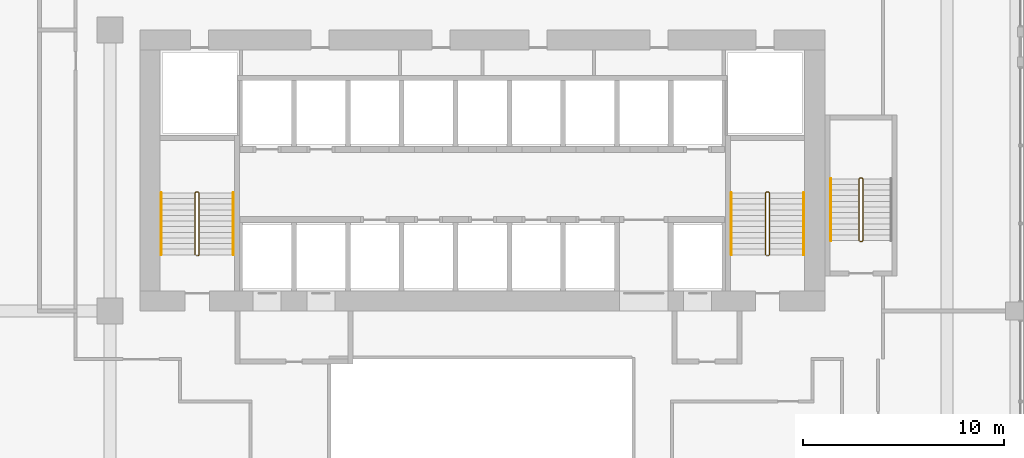
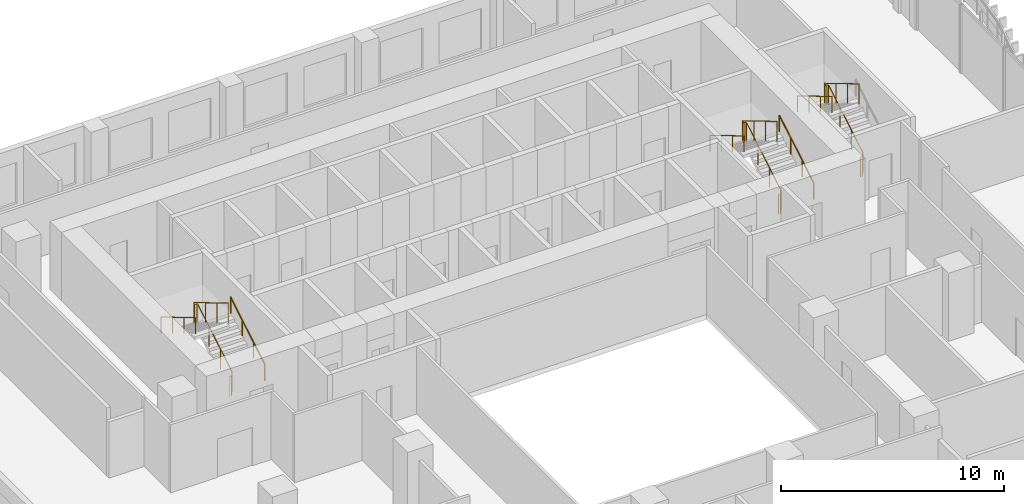
# One storey, part 25 of 26: 8 railings.
"""IFC4 building model written with IfcOpenShell, lengths in metres."""

from ifc_helpers import new_model, si_unit, direction, frame, origin, origin_2d, place, context, subcontext, project, spatial, circle, extrude, material, type_object, element, save


model = new_model("IFC4")

# Units and contexts
model_context = context("Model", 3, precision=1e-05, world=origin(), true_north=direction((0.0, 1.0)))
body_context = subcontext(model_context, "Body", "Model", "MODEL_VIEW")
ifc_project = project(units=[si_unit("LENGTHUNIT", "METRE"), si_unit("AREAUNIT", "SQUARE_METRE"), si_unit("VOLUMEUNIT", "CUBIC_METRE"), si_unit("PLANEANGLEUNIT", "RADIAN"), si_unit("MASSUNIT", "GRAM", prefix="KILO")], contexts=[model_context])

# Site, building, storey
site_placement = place(None, origin())
site = spatial("IfcSite", under=ifc_project, at=site_placement, CompositionType="ELEMENT")
building_placement = place(site_placement, origin())
building = spatial("IfcBuilding", under=site, at=building_placement, Name="Kilnfold Tower and Market Hall", CompositionType="ELEMENT")
storey_placement = place(building_placement, frame((0.0, 0.0, 31.0)))
storey = spatial("IfcBuildingStorey", under=building, at=storey_placement, Name="L06", CompositionType="ELEMENT", Elevation=31.0)

# Railings
ifc_material_1 = material(Name="Stainless steel 316", Category="steel")
railing_type_1 = type_object("IfcRailingType", Name="CORE STAIR GUARD 1100", PredefinedType="GUARDRAIL", material=ifc_material_1)
railing_1_placement = place(storey_placement, frame((-13.199951171875, 10.75, 0.0)))
element("IfcRailing", 1, at=railing_1_placement, inside=storey, type_object=railing_type_1, Name="L06 ST1 stair guard 1", PredefinedType="GUARDRAIL", context=body_context, shape_type="SweptSolid", body=[
    extrude(circle(Radius=0.02392578125, at=origin_2d()), frame((0.0, 0.0, 1.076171875), z_axis=(1.0, 0.0, 0.0), x_axis=(0.0, 1.0, 0.0)), (0.0, 0.0, 1.0), 0.099853515625),
    extrude(circle(Radius=0.02392578125, at=origin_2d()), frame((0.099853515625, 0.0, 1.076171875), z_axis=(0.27628659633, 0.27628659633, 0.920506074601), x_axis=(-0.707106781187, 0.707106781187, 0.0)), (0.0, 0.0, 1.0), 0.18115234375),
    extrude(circle(Radius=0.02392578125, at=origin_2d()), frame((0.14990234375, 0.050048828125, 1.24267578125), z_axis=(0.0, 0.859290745958, 0.51148745235), x_axis=(-1.0, 0.0, 0.0)), (0.0, 0.0, 1.0), 3.584228515625),
    extrude(circle(Radius=0.02392578125, at=origin_2d()), frame((0.14990234375, 3.1298828125, 3.076171875), z_axis=(-0.707106781187, 0.707106781187, 0.0), x_axis=(-0.707106781187, -0.707106781187, 0.0)), (0.0, 0.0, 1.0), 0.07080078125),
    extrude(circle(Radius=0.02392578125, at=origin_2d()), frame((0.099853515625, 3.179931640625, 3.076171875), z_axis=(-1.0, 0.0, 0.0), x_axis=(0.0, -1.0, 0.0)), (0.0, 0.0, 1.0), 0.099853515625),
    extrude(circle(Radius=0.02392578125, at=origin_2d()), frame((0.0, 3.179931640625, 3.076171875), z_axis=(-0.27628659633, -0.27628659633, 0.920506074601), x_axis=(0.707106781187, -0.707106781187, 0.0)), (0.0, 0.0, 1.0), 0.18115234375),
    extrude(circle(Radius=0.02392578125, at=origin_2d()), frame((-0.050048828125, 3.1298828125, 3.24267578125), z_axis=(0.0, -0.859290745958, 0.51148745235), x_axis=(1.0, 0.0, 0.0)), (0.0, 0.0, 1.0), 3.584228515625),
    extrude(circle(Radius=0.02099609375, at=origin_2d()), origin(), (0.0, 0.0, 1.0), 1.052001953125),
    extrude(circle(Radius=0.02099609375, at=origin_2d()), frame((0.099853515625, 0.0, 0.0)), (0.0, 0.0, 1.0), 1.052001953125),
    extrude(circle(Radius=0.02099609375, at=origin_2d()), frame((0.14990234375, 0.050048828125, 0.166748046875)), (0.0, 0.0, 1.0), 1.052001953125),
    extrude(circle(Radius=0.02099609375, at=origin_2d()), frame((0.14990234375, 1.07666015625, 0.77783203125)), (0.0, 0.0, 1.0), 1.052001953125),
    extrude(circle(Radius=0.02099609375, at=origin_2d()), frame((0.14990234375, 2.103271484375, 1.388916015625)), (0.0, 0.0, 1.0), 1.052001953125),
    extrude(circle(Radius=0.02099609375, at=origin_2d()), frame((0.14990234375, 3.1298828125, 2.0)), (0.0, 0.0, 1.0), 1.052001953125),
    extrude(circle(Radius=0.02099609375, at=origin_2d()), frame((0.099853515625, 3.179931640625, 2.0)), (0.0, 0.0, 1.0), 1.052001953125),
    extrude(circle(Radius=0.02099609375, at=origin_2d()), frame((0.0, 3.179931640625, 2.0)), (0.0, 0.0, 1.0), 1.052001953125),
    extrude(circle(Radius=0.02099609375, at=origin_2d()), frame((-0.050048828125, 3.1298828125, 2.166748046875)), (0.0, 0.0, 1.0), 1.052001953125),
    extrude(circle(Radius=0.02099609375, at=origin_2d()), frame((-0.050048828125, 2.103271484375, 2.77783203125)), (0.0, 0.0, 1.0), 1.052001953125),
    extrude(circle(Radius=0.02099609375, at=origin_2d()), frame((-0.050048828125, 1.07666015625, 3.388916015625)), (0.0, 0.0, 1.0), 1.052001953125),
    extrude(circle(Radius=0.02099609375, at=origin_2d()), frame((-0.050048828125, 0.050048828125, 4.0)), (0.0, 0.0, 1.0), 1.052001953125),
])
railing_2_placement = place(storey_placement, frame((15.199951171875, 10.75, 0.0)))
element("IfcRailing", 2, at=railing_2_placement, inside=storey, type_object=railing_type_1, Name="L06 ST2 stair guard 1", PredefinedType="GUARDRAIL", context=body_context, shape_type="SweptSolid", body=[
    extrude(circle(Radius=0.02392578125, at=origin_2d()), frame((0.0, 0.0, 1.076171875), z_axis=(1.0, 0.0, 0.0), x_axis=(0.0, 1.0, 0.0)), (0.0, 0.0, 1.0), 0.10009765625),
    extrude(circle(Radius=0.02392578125, at=origin_2d()), frame((0.10009765625, 0.0, 1.076171875), z_axis=(0.27628659633, 0.27628659633, 0.920506074601), x_axis=(-0.707106781187, 0.707106781187, 0.0)), (0.0, 0.0, 1.0), 0.18115234375),
    extrude(circle(Radius=0.02392578125, at=origin_2d()), frame((0.150146484375, 0.050048828125, 1.24267578125), z_axis=(0.0, 0.859290745958, 0.51148745235), x_axis=(-1.0, 0.0, 0.0)), (0.0, 0.0, 1.0), 3.584228515625),
    extrude(circle(Radius=0.02392578125, at=origin_2d()), frame((0.150146484375, 3.1298828125, 3.076171875), z_axis=(-0.707106781187, 0.707106781187, 0.0), x_axis=(-0.707106781187, -0.707106781187, 0.0)), (0.0, 0.0, 1.0), 0.07080078125),
    extrude(circle(Radius=0.02392578125, at=origin_2d()), frame((0.10009765625, 3.179931640625, 3.076171875), z_axis=(-1.0, 0.0, 0.0), x_axis=(0.0, -1.0, 0.0)), (0.0, 0.0, 1.0), 0.10009765625),
    extrude(circle(Radius=0.02392578125, at=origin_2d()), frame((0.0, 3.179931640625, 3.076171875), z_axis=(-0.27628659633, -0.27628659633, 0.920506074601), x_axis=(0.707106781187, -0.707106781187, 0.0)), (0.0, 0.0, 1.0), 0.18115234375),
    extrude(circle(Radius=0.02392578125, at=origin_2d()), frame((-0.050048828125, 3.1298828125, 3.24267578125), z_axis=(0.0, -0.859290745958, 0.51148745235), x_axis=(1.0, 0.0, 0.0)), (0.0, 0.0, 1.0), 3.584228515625),
    extrude(circle(Radius=0.02099609375, at=origin_2d()), origin(), (0.0, 0.0, 1.0), 1.052001953125),
    extrude(circle(Radius=0.02099609375, at=origin_2d()), frame((0.10009765625, 0.0, 0.0)), (0.0, 0.0, 1.0), 1.052001953125),
    extrude(circle(Radius=0.02099609375, at=origin_2d()), frame((0.150146484375, 0.050048828125, 0.166748046875)), (0.0, 0.0, 1.0), 1.052001953125),
    extrude(circle(Radius=0.02099609375, at=origin_2d()), frame((0.150146484375, 1.07666015625, 0.77783203125)), (0.0, 0.0, 1.0), 1.052001953125),
    extrude(circle(Radius=0.02099609375, at=origin_2d()), frame((0.150146484375, 2.103271484375, 1.388916015625)), (0.0, 0.0, 1.0), 1.052001953125),
    extrude(circle(Radius=0.02099609375, at=origin_2d()), frame((0.150146484375, 3.1298828125, 2.0)), (0.0, 0.0, 1.0), 1.052001953125),
    extrude(circle(Radius=0.02099609375, at=origin_2d()), frame((0.10009765625, 3.179931640625, 2.0)), (0.0, 0.0, 1.0), 1.052001953125),
    extrude(circle(Radius=0.02099609375, at=origin_2d()), frame((0.0, 3.179931640625, 2.0)), (0.0, 0.0, 1.0), 1.052001953125),
    extrude(circle(Radius=0.02099609375, at=origin_2d()), frame((-0.050048828125, 3.1298828125, 2.166748046875)), (0.0, 0.0, 1.0), 1.052001953125),
    extrude(circle(Radius=0.02099609375, at=origin_2d()), frame((-0.050048828125, 2.103271484375, 2.77783203125)), (0.0, 0.0, 1.0), 1.052001953125),
    extrude(circle(Radius=0.02099609375, at=origin_2d()), frame((-0.050048828125, 1.07666015625, 3.388916015625)), (0.0, 0.0, 1.0), 1.052001953125),
    extrude(circle(Radius=0.02099609375, at=origin_2d()), frame((-0.050048828125, 0.050048828125, 4.0)), (0.0, 0.0, 1.0), 1.052001953125),
])
railing_3_placement = place(storey_placement, frame((19.85009765625, 11.449951171875, 0.0)))
element("IfcRailing", 3, at=railing_3_placement, inside=storey, type_object=railing_type_1, Name="L06 ST5 stair guard 1", PredefinedType="GUARDRAIL", context=body_context, shape_type="SweptSolid", body=[
    extrude(circle(Radius=0.02392578125, at=origin_2d()), frame((0.0, 0.0, 1.076171875), z_axis=(1.0, 0.0, 0.0), x_axis=(0.0, 1.0, 0.0)), (0.0, 0.0, 1.0), 0.099853515625),
    extrude(circle(Radius=0.02392578125, at=origin_2d()), frame((0.099853515625, 0.0, 1.076171875), z_axis=(0.27628659633, 0.27628659633, 0.920506074601), x_axis=(-0.707106781187, 0.707106781187, 0.0)), (0.0, 0.0, 1.0), 0.18115234375),
    extrude(circle(Radius=0.02392578125, at=origin_2d()), frame((0.14990234375, 0.050048828125, 1.24267578125), z_axis=(0.0, 0.859308565015, 0.511457515432), x_axis=(-1.0, 0.0, 0.0)), (0.0, 0.0, 1.0), 3.58447265625),
    extrude(circle(Radius=0.02392578125, at=origin_2d()), frame((0.14990234375, 3.130126953125, 3.076171875), z_axis=(-0.708833529934, 0.705375805398, 0.0), x_axis=(-0.705375805398, -0.708833529934, 0.0)), (0.0, 0.0, 1.0), 0.070556640625),
    extrude(circle(Radius=0.02392578125, at=origin_2d()), frame((0.099853515625, 3.179931640625, 3.076171875), z_axis=(-1.0, 0.0, 0.0), x_axis=(0.0, -1.0, 0.0)), (0.0, 0.0, 1.0), 0.099853515625),
    extrude(circle(Radius=0.02392578125, at=origin_2d()), frame((0.0, 3.179931640625, 3.076171875), z_axis=(-0.276389281352, -0.275041040955, 0.920848191041), x_axis=(0.705375805398, -0.708833529934, 0.0)), (0.0, 0.0, 1.0), 0.18115234375),
    extrude(circle(Radius=0.02392578125, at=origin_2d()), frame((-0.050048828125, 3.130126953125, 3.24267578125), z_axis=(0.0, -0.859308565015, 0.511457515432), x_axis=(1.0, 0.0, 0.0)), (0.0, 0.0, 1.0), 3.58447265625),
    extrude(circle(Radius=0.02099609375, at=origin_2d()), origin(), (0.0, 0.0, 1.0), 1.052001953125),
    extrude(circle(Radius=0.02099609375, at=origin_2d()), frame((0.099853515625, 0.0, 0.0)), (0.0, 0.0, 1.0), 1.052001953125),
    extrude(circle(Radius=0.02099609375, at=origin_2d()), frame((0.14990234375, 0.050048828125, 0.166748046875)), (0.0, 0.0, 1.0), 1.052001953125),
    extrude(circle(Radius=0.02099609375, at=origin_2d()), frame((0.14990234375, 1.07666015625, 0.77783203125)), (0.0, 0.0, 1.0), 1.052001953125),
    extrude(circle(Radius=0.02099609375, at=origin_2d()), frame((0.14990234375, 2.103515625, 1.388916015625)), (0.0, 0.0, 1.0), 1.052001953125),
    extrude(circle(Radius=0.02099609375, at=origin_2d()), frame((0.14990234375, 3.130126953125, 2.0)), (0.0, 0.0, 1.0), 1.052001953125),
    extrude(circle(Radius=0.02099609375, at=origin_2d()), frame((0.099853515625, 3.179931640625, 2.0)), (0.0, 0.0, 1.0), 1.052001953125),
    extrude(circle(Radius=0.02099609375, at=origin_2d()), frame((0.0, 3.179931640625, 2.0)), (0.0, 0.0, 1.0), 1.052001953125),
    extrude(circle(Radius=0.02099609375, at=origin_2d()), frame((-0.050048828125, 3.130126953125, 2.166748046875)), (0.0, 0.0, 1.0), 1.052001953125),
    extrude(circle(Radius=0.02099609375, at=origin_2d()), frame((-0.050048828125, 2.103515625, 2.77783203125)), (0.0, 0.0, 1.0), 1.052001953125),
    extrude(circle(Radius=0.02099609375, at=origin_2d()), frame((-0.050048828125, 1.07666015625, 3.388916015625)), (0.0, 0.0, 1.0), 1.052001953125),
    extrude(circle(Radius=0.02099609375, at=origin_2d()), frame((-0.050048828125, 0.050048828125, 4.0)), (0.0, 0.0, 1.0), 1.052001953125),
])
ifc_material_2 = material(Name="Stainless steel 316", Category="steel")
railing_type_2 = type_object("IfcRailingType", Name="CORE STAIR HANDRAIL 900", PredefinedType="HANDRAIL", material=ifc_material_2)
railing_4_placement = place(storey_placement, frame((-11.35009765625, 10.800048828125, 0.166748046875)))
element("IfcRailing", 4, at=railing_4_placement, inside=storey, type_object=railing_type_2, Name="L06 ST1 stair handrail 1", PredefinedType="HANDRAIL", context=body_context, shape_type="SweptSolid", body=[
    extrude(circle(Radius=0.02392578125, at=origin_2d()), frame((0.0, 0.0, 0.8759765625), z_axis=(0.0, 0.859290745958, 0.51148745235), x_axis=(-1.0, 0.0, 0.0)), (0.0, 0.0, 1.0), 3.584228515625),
    extrude(circle(Radius=0.02099609375, at=origin_2d()), origin(), (0.0, 0.0, 1.0), 0.851806640625),
    extrude(circle(Radius=0.02099609375, at=origin_2d()), frame((0.0, 1.026611328125, 0.611083984375)), (0.0, 0.0, 1.0), 0.851806640625),
    extrude(circle(Radius=0.02099609375, at=origin_2d()), frame((0.0, 2.05322265625, 1.22216796875)), (0.0, 0.0, 1.0), 0.851806640625),
    extrude(circle(Radius=0.02099609375, at=origin_2d()), frame((0.0, 3.079833984375, 1.833251953125)), (0.0, 0.0, 1.0), 0.851806640625),
])
railing_5_placement = place(storey_placement, frame((-14.949951171875, 13.8798828125, 2.166748046875)))
element("IfcRailing", 5, at=railing_5_placement, inside=storey, type_object=railing_type_2, Name="L06 ST1 stair handrail 2", PredefinedType="HANDRAIL", context=body_context, shape_type="SweptSolid", body=[
    extrude(circle(Radius=0.02392578125, at=origin_2d()), frame((0.0, 0.0, 0.8759765625), z_axis=(0.0, -0.859290745958, 0.51148745235), x_axis=(1.0, 0.0, 0.0)), (0.0, 0.0, 1.0), 3.584228515625),
    extrude(circle(Radius=0.02099609375, at=origin_2d()), origin(), (0.0, 0.0, 1.0), 0.851806640625),
    extrude(circle(Radius=0.02099609375, at=origin_2d()), frame((0.0, -1.026611328125, 0.611083984375)), (0.0, 0.0, 1.0), 0.851806640625),
    extrude(circle(Radius=0.02099609375, at=origin_2d()), frame((0.0, -2.05322265625, 1.22216796875)), (0.0, 0.0, 1.0), 0.851806640625),
    extrude(circle(Radius=0.02099609375, at=origin_2d()), frame((0.0, -3.079833984375, 1.833251953125)), (0.0, 0.0, 1.0), 0.851806640625),
])
railing_6_placement = place(storey_placement, frame((17.050048828125, 10.800048828125, 0.166748046875)))
element("IfcRailing", 6, at=railing_6_placement, inside=storey, type_object=railing_type_2, Name="L06 ST2 stair handrail 1", PredefinedType="HANDRAIL", context=body_context, shape_type="SweptSolid", body=[
    extrude(circle(Radius=0.02392578125, at=origin_2d()), frame((0.0, 0.0, 0.8759765625), z_axis=(0.0, 0.859290745958, 0.51148745235), x_axis=(-1.0, 0.0, 0.0)), (0.0, 0.0, 1.0), 3.584228515625),
    extrude(circle(Radius=0.02099609375, at=origin_2d()), origin(), (0.0, 0.0, 1.0), 0.851806640625),
    extrude(circle(Radius=0.02099609375, at=origin_2d()), frame((0.0, 1.026611328125, 0.611083984375)), (0.0, 0.0, 1.0), 0.851806640625),
    extrude(circle(Radius=0.02099609375, at=origin_2d()), frame((0.0, 2.05322265625, 1.22216796875)), (0.0, 0.0, 1.0), 0.851806640625),
    extrude(circle(Radius=0.02099609375, at=origin_2d()), frame((0.0, 3.079833984375, 1.833251953125)), (0.0, 0.0, 1.0), 0.851806640625),
])
railing_7_placement = place(storey_placement, frame((13.449951171875, 13.8798828125, 2.166748046875)))
element("IfcRailing", 7, at=railing_7_placement, inside=storey, type_object=railing_type_2, Name="L06 ST2 stair handrail 2", PredefinedType="HANDRAIL", context=body_context, shape_type="SweptSolid", body=[
    extrude(circle(Radius=0.02392578125, at=origin_2d()), frame((0.0, 0.0, 0.8759765625), z_axis=(0.0, -0.859290745958, 0.51148745235), x_axis=(1.0, 0.0, 0.0)), (0.0, 0.0, 1.0), 3.584228515625),
    extrude(circle(Radius=0.02099609375, at=origin_2d()), origin(), (0.0, 0.0, 1.0), 0.851806640625),
    extrude(circle(Radius=0.02099609375, at=origin_2d()), frame((0.0, -1.026611328125, 0.611083984375)), (0.0, 0.0, 1.0), 0.851806640625),
    extrude(circle(Radius=0.02099609375, at=origin_2d()), frame((0.0, -2.05322265625, 1.22216796875)), (0.0, 0.0, 1.0), 0.851806640625),
    extrude(circle(Radius=0.02099609375, at=origin_2d()), frame((0.0, -3.079833984375, 1.833251953125)), (0.0, 0.0, 1.0), 0.851806640625),
])
railing_8_placement = place(storey_placement, frame((18.39990234375, 14.580078125, 2.166748046875)))
element("IfcRailing", 8, at=railing_8_placement, inside=storey, type_object=railing_type_2, Name="L06 ST5 stair handrail 2", PredefinedType="HANDRAIL", context=body_context, shape_type="SweptSolid", body=[
    extrude(circle(Radius=0.02392578125, at=origin_2d()), frame((0.0, 0.0, 0.8759765625), z_axis=(0.0, -0.859308565015, 0.511457515432), x_axis=(1.0, 0.0, 0.0)), (0.0, 0.0, 1.0), 3.58447265625),
    extrude(circle(Radius=0.02099609375, at=origin_2d()), origin(), (0.0, 0.0, 1.0), 0.851806640625),
    extrude(circle(Radius=0.02099609375, at=origin_2d()), frame((0.0, -1.026611328125, 0.611083984375)), (0.0, 0.0, 1.0), 0.851806640625),
    extrude(circle(Radius=0.02099609375, at=origin_2d()), frame((0.0, -2.053466796875, 1.22216796875)), (0.0, 0.0, 1.0), 0.851806640625),
    extrude(circle(Radius=0.02099609375, at=origin_2d()), frame((0.0, -3.080078125, 1.833251953125)), (0.0, 0.0, 1.0), 0.851806640625),
])

save(model, "model.ifc")
